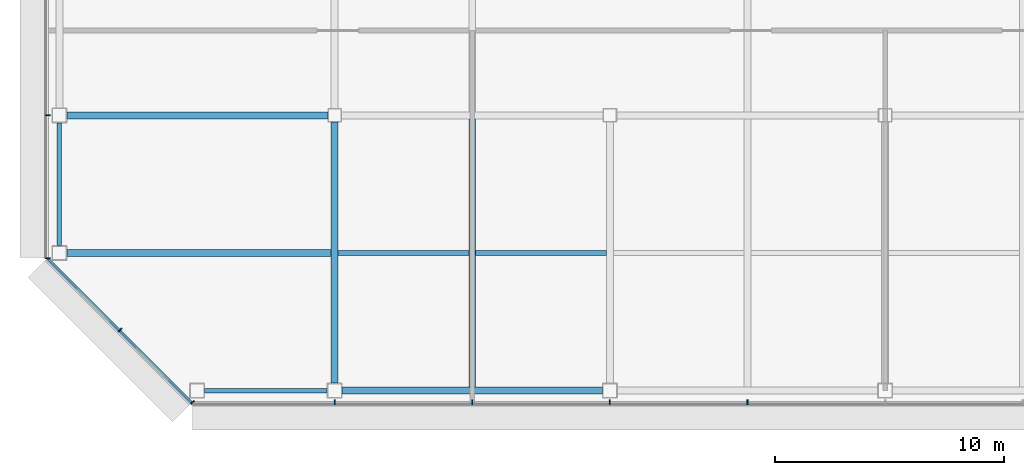
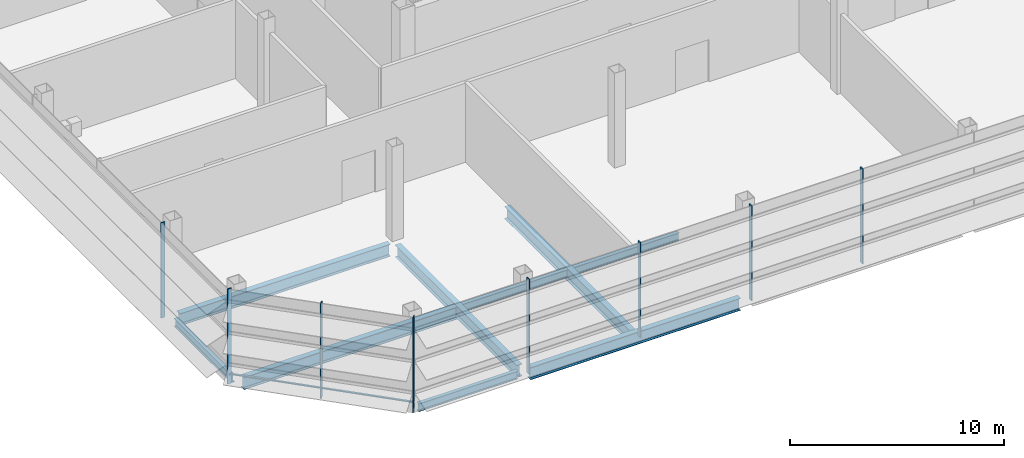
# One storey, part 2 of 25: 9 beams, 9 members, 3 elements without a shape of their own.
"""IFC4 building model written with IfcOpenShell, lengths in metres."""

from ifc_helpers import new_model, si_unit, direction, frame, origin, origin_2d, place, context, subcontext, project, spatial, rectangle, i_section, extrude, material, material_profile, profile_set, type_object, element, aggregate, save


model = new_model("IFC4")

# Units and contexts
model_context = context("Model", 3, precision=1e-05, world=origin(), true_north=direction((0.0, 1.0)))
body_context = subcontext(model_context, "Body", "Model", "MODEL_VIEW")
ifc_project = project(units=[si_unit("LENGTHUNIT", "METRE"), si_unit("AREAUNIT", "SQUARE_METRE"), si_unit("VOLUMEUNIT", "CUBIC_METRE"), si_unit("PLANEANGLEUNIT", "RADIAN"), si_unit("MASSUNIT", "GRAM", prefix="KILO")], contexts=[model_context])

# Site, building, storey
site_placement = place(None, origin())
site = spatial("IfcSite", under=ifc_project, at=site_placement, CompositionType="ELEMENT")
building_placement = place(site_placement, origin())
building = spatial("IfcBuilding", under=site, at=building_placement, Name="Sorahane Residences", CompositionType="ELEMENT")
storey_placement = place(building_placement, frame((0.0, 0.0, 210.0)))
storey = spatial("IfcBuildingStorey", under=building, at=storey_placement, Name="L49", CompositionType="ELEMENT", Elevation=210.0)

# Curtain wall, members
ifc_material_1 = material(Name="Dark low-e glass and black anodised aluminium", Category="aluminium")
curtain_wall_type = type_object("IfcCurtainWallType", Name="Curtain wall CW-4 Sky floor frameless wall", PredefinedType="NOTDEFINED", material=ifc_material_1)
curtain_wall_1_placement = place(storey_placement, origin())
curtain_wall_1 = element("IfcCurtainWall", 1, at=curtain_wall_1_placement, inside=storey, type_object=curtain_wall_type, Name="CW-4 curtain wall L49 S1", PredefinedType="NOTDEFINED")
ifc_material_2 = material(Name="Black anodised aluminium", Category="aluminium")
ifc_material_profile_1 = material_profile(ifc_material_2, rectangle(XDim=0.219970703125, YDim=0.050048828125, at=origin_2d()), Name="Curtain wall mullion CW-4 black anodised aluminium 50x220")
ifc_profile_set_1 = profile_set([ifc_material_profile_1], Name="Black anodised aluminium")
member_type_1 = type_object("IfcMemberType", Name="Curtain wall mullion CW-4 black anodised aluminium 50x220", PredefinedType="MULLION", material=ifc_profile_set_1)
member_1_placement = place(storey_placement, frame((0.0, -0.510009765625, -0.219970703125), z_axis=(0.0, 0.0, 1.0), x_axis=(0.0, -1.0, 0.0)))
member_1 = element("IfcMember", 2, at=member_1_placement, type_object=member_type_1, Name="CW-4 mullion L49 S1.2", PredefinedType="MULLION", context=body_context, shape_type="SweptSolid", body=[
    extrude(rectangle(XDim=0.219970703125, YDim=0.050048828125, at=origin_2d()), origin(), (0.0, 0.0, 1.0), 5.43994140625),
])
member_2_placement = place(storey_placement, frame((6.0, -0.510009765625, -0.219970703125), z_axis=(0.0, 0.0, 1.0), x_axis=(0.0, -1.0, 0.0)))
member_2 = element("IfcMember", 3, at=member_2_placement, type_object=member_type_1, Name="CW-4 mullion L49 S1.3", PredefinedType="MULLION", context=body_context, shape_type="SweptSolid", body=[
    extrude(rectangle(XDim=0.219970703125, YDim=0.050048828125, at=origin_2d()), origin(), (0.0, 0.0, 1.0), 5.43994140625),
])
member_3_placement = place(storey_placement, frame((12.0, -0.510009765625, -0.219970703125), z_axis=(0.0, 0.0, 1.0), x_axis=(0.0, -1.0, 0.0)))
member_3 = element("IfcMember", 4, at=member_3_placement, type_object=member_type_1, Name="CW-4 mullion L49 S1.4", PredefinedType="MULLION", context=body_context, shape_type="SweptSolid", body=[
    extrude(rectangle(XDim=0.219970703125, YDim=0.050048828125, at=origin_2d()), origin(), (0.0, 0.0, 1.0), 5.43994140625),
])
member_4_placement = place(storey_placement, frame((18.0, -0.510009765625, -0.219970703125), z_axis=(0.0, 0.0, 1.0), x_axis=(0.0, -1.0, 0.0)))
member_4 = element("IfcMember", 5, at=member_4_placement, type_object=member_type_1, Name="CW-4 mullion L49 S1.5", PredefinedType="MULLION", context=body_context, shape_type="SweptSolid", body=[
    extrude(rectangle(XDim=0.219970703125, YDim=0.050048828125, at=origin_2d()), origin(), (0.0, 0.0, 1.0), 5.43994140625),
])
aggregate(curtain_wall_1, [member_1, member_2, member_3, member_4])

curtain_wall_2_placement = place(storey_placement, origin())
curtain_wall_2 = element("IfcCurtainWall", 6, at=curtain_wall_2_placement, inside=storey, type_object=curtain_wall_type, Name="CW-4 curtain wall L49 W1", PredefinedType="NOTDEFINED")
member_5_placement = place(storey_placement, frame((-12.510009765625, 12.0, -0.219970703125), z_axis=(0.0, 0.0, 1.0), x_axis=(-1.0, 0.0, 0.0)))
member_5 = element("IfcMember", 7, at=member_5_placement, type_object=member_type_1, Name="CW-4 mullion L49 W1.6", PredefinedType="MULLION", context=body_context, shape_type="SweptSolid", body=[
    extrude(rectangle(XDim=0.219970703125, YDim=0.050048828125, at=origin_2d()), origin(), (0.0, 0.0, 1.0), 5.43994140625),
])
member_6_placement = place(storey_placement, frame((-12.510009765625, 5.7763671875, -0.219970703125), z_axis=(0.0, 0.0, 1.0), x_axis=(-1.0, 0.0, 0.0)))
member_6 = element("IfcMember", 8, at=member_6_placement, type_object=member_type_1, Name="CW-4 mullion L49 W1.7", PredefinedType="MULLION", context=body_context, shape_type="SweptSolid", body=[
    extrude(rectangle(XDim=0.219970703125, YDim=0.050048828125, at=origin_2d()), origin(), (0.0, 0.0, 1.0), 5.43994140625),
])
aggregate(curtain_wall_2, [member_5, member_6])

curtain_wall_3_placement = place(storey_placement, origin())
curtain_wall_3 = element("IfcCurtainWall", 9, at=curtain_wall_3_placement, inside=storey, type_object=curtain_wall_type, Name="CW-4 curtain wall L49 SW1", PredefinedType="NOTDEFINED")
member_7_placement = place(storey_placement, frame((-9.360595703125, 2.639404296875, -0.219970703125), z_axis=(0.0, 0.0, 1.0), x_axis=(-0.707106781187, -0.707106781187, 0.0)))
member_7 = element("IfcMember", 10, at=member_7_placement, type_object=member_type_1, Name="CW-4 mullion L49 SW1.2", PredefinedType="MULLION", context=body_context, shape_type="SweptSolid", body=[
    extrude(rectangle(XDim=0.219970703125, YDim=0.050048828125, at=origin_2d()), origin(), (0.0, 0.0, 1.0), 5.43994140625),
])
member_8_placement = place(storey_placement, frame((-6.20263671875, -0.518798828125, -0.219970703125), z_axis=(0.0, 0.0, 1.0), x_axis=(-0.707106781187, -0.707106781187, 0.0)))
member_8 = element("IfcMember", 11, at=member_8_placement, type_object=member_type_1, Name="CW-4 mullion L49 SW1.3", PredefinedType="MULLION", context=body_context, shape_type="SweptSolid", body=[
    extrude(rectangle(XDim=0.219970703125, YDim=0.050048828125, at=origin_2d()), origin(), (0.0, 0.0, 1.0), 5.43994140625),
])
ifc_material_3 = material(Name="Black anodised aluminium", Category="aluminium")
ifc_material_profile_2 = material_profile(ifc_material_3, rectangle(XDim=0.10009765625, YDim=0.06005859375, at=origin_2d()), Name="Curtain wall transom CW-4 black anodised aluminium 60x100")
ifc_profile_set_2 = profile_set([ifc_material_profile_2], Name="Black anodised aluminium")
member_type_2 = type_object("IfcMemberType", Name="Curtain wall transom CW-4 black anodised aluminium 60x100", PredefinedType="USERDEFINED", material=ifc_profile_set_2)
member_9_placement = place(storey_placement, frame((-12.51513671875, 5.765625, 0.35009765625), z_axis=(0.707106781187, -0.707106781187, 0.0), x_axis=(0.707106781187, 0.707106781187, 0.0)))
member_9 = element("IfcMember", 12, at=member_9_placement, type_object=member_type_2, Name="CW-4 transom L49 SW1", ObjectType="TRANSOM", PredefinedType="USERDEFINED", context=body_context, shape_type="SweptSolid", body=[
    extrude(rectangle(XDim=0.10009765625, YDim=0.06005859375, at=origin_2d()), origin(), (0.0, 0.0, 1.0), 8.88232421875),
])
aggregate(curtain_wall_3, [member_7, member_8, member_9])

# Beams
ifc_material_4 = material(Name="Steel Q355B", Category="steel")
ifc_material_profile_3 = material_profile(ifc_material_4, i_section(OverallWidth=0.199951171875, OverallDepth=0.449951171875, WebThickness=0.009033203125, FlangeThickness=0.013916015625, FilletRadius=0.02001953125, at=origin_2d()), Name="HN 450x200x9x14")
ifc_profile_set_3 = profile_set([ifc_material_profile_3], Name="Steel Q355B")
beam_type_1 = type_object("IfcBeamType", Name="Steel floor beam HN 450x200x9x14 Q355B", PredefinedType="BEAM", material=ifc_profile_set_3)
for number, where, z_axis, x_axis, name in (
    (13, (-5.675048828125, 0.0, -0.445068359375), (1.0, 0.0, 0.0), (0.0, 1.0, 0.0), "Beam L49 000"),
    (14, (-12.0, 6.324951171875, -0.445068359375), (0.0, 1.0, 0.0), (-1.0, 0.0, 0.0), "Beam L49 020"),
):
    element("IfcBeam", number, at=place(storey_placement, frame(where, z_axis=z_axis, x_axis=x_axis)), inside=storey, type_object=beam_type_1, Name=name, PredefinedType="BEAM", context=body_context, shape_type="SweptSolid", body=[
        extrude(i_section(OverallWidth=0.199951171875, OverallDepth=0.449951171875, WebThickness=0.009033203125, FlangeThickness=0.013916015625, FilletRadius=0.02001953125, at=origin_2d()), origin(), (0.0, 0.0, 1.0), 5.35009765625),
    ])
for number, where, z_axis, x_axis, name in (
    (15, (0.14990234375, 6.0, -0.445068359375), (1.0, 0.0, 0.0), (0.0, 1.0, 0.0), "Beam L49 069"),
    (16, (6.14990234375, 6.0, -0.445068359375), (1.0, 0.0, 0.0), (0.0, 1.0, 0.0), "Beam L49 070"),
):
    element("IfcBeam", number, at=place(storey_placement, frame(where, z_axis=z_axis, x_axis=x_axis)), inside=storey, type_object=beam_type_1, Name=name, PredefinedType="BEAM", context=body_context, shape_type="SweptSolid", body=[
        extrude(i_section(OverallWidth=0.199951171875, OverallDepth=0.449951171875, WebThickness=0.009033203125, FlangeThickness=0.013916015625, FilletRadius=0.02001953125, at=origin_2d()), origin(), (0.0, 0.0, 1.0), 5.7001953125),
    ])
ifc_material_5 = material(Name="Steel Q355B", Category="steel")
ifc_material_profile_4 = material_profile(ifc_material_5, i_section(OverallWidth=0.300048828125, OverallDepth=0.699951171875, WebThickness=0.012939453125, FlangeThickness=0.02392578125, FilletRadius=0.028076171875, at=origin_2d()), Name="HN 700x300x13x24")
ifc_profile_set_4 = profile_set([ifc_material_profile_4], Name="Steel Q355B")
beam_type_2 = type_object("IfcBeamType", Name="Steel floor beam HN 700x300x13x24 Q355B", PredefinedType="BEAM", material=ifc_profile_set_4)
beam_1_placement = place(storey_placement, frame((0.324951171875, 0.0, -0.570068359375), z_axis=(1.0, 0.0, 0.0), x_axis=(0.0, 1.0, 0.0)))
element("IfcBeam", 17, at=beam_1_placement, inside=storey, type_object=beam_type_2, Name="Beam L49 001", PredefinedType="BEAM", context=body_context, shape_type="SweptSolid", body=[
    extrude(i_section(OverallWidth=0.300048828125, OverallDepth=0.699951171875, WebThickness=0.012939453125, FlangeThickness=0.02392578125, FilletRadius=0.028076171875, at=origin_2d()), origin(), (0.0, 0.0, 1.0), 11.35009765625),
])
for number, where, z_axis, x_axis, name in (
    (18, (-11.675048828125, 12.0, -0.570068359375), (1.0, 0.0, 0.0), (0.0, 1.0, 0.0), "Beam L49 005"),
    (19, (0.0, 0.324951171875, -0.570068359375), (0.0, 1.0, 0.0), (-1.0, 0.0, 0.0), "Beam L49 024"),
):
    element("IfcBeam", number, at=place(storey_placement, frame(where, z_axis=z_axis, x_axis=x_axis)), inside=storey, type_object=beam_type_2, Name=name, PredefinedType="BEAM", context=body_context, shape_type="SweptSolid", body=[
        extrude(i_section(OverallWidth=0.300048828125, OverallDepth=0.699951171875, WebThickness=0.012939453125, FlangeThickness=0.02392578125, FilletRadius=0.028076171875, at=origin_2d()), origin(), (0.0, 0.0, 1.0), 11.375),
    ])
beam_2_placement = place(storey_placement, frame((6.0, 0.14990234375, -0.570068359375), z_axis=(0.0, 1.0, 0.0), x_axis=(-1.0, 0.0, 0.0)))
element("IfcBeam", 20, at=beam_2_placement, inside=storey, type_object=beam_type_2, Name="Beam L49 028", PredefinedType="BEAM", context=body_context, shape_type="SweptSolid", body=[
    extrude(i_section(OverallWidth=0.300048828125, OverallDepth=0.699951171875, WebThickness=0.012939453125, FlangeThickness=0.02392578125, FilletRadius=0.028076171875, at=origin_2d()), origin(), (0.0, 0.0, 1.0), 11.7001953125),
])
beam_3_placement = place(storey_placement, frame((-11.675048828125, 6.0, -0.570068359375), z_axis=(1.0, 0.0, 0.0), x_axis=(0.0, 1.0, 0.0)))
element("IfcBeam", 21, at=beam_3_placement, inside=storey, type_object=beam_type_2, Name="Beam L49 068", PredefinedType="BEAM", context=body_context, shape_type="SweptSolid", body=[
    extrude(i_section(OverallWidth=0.300048828125, OverallDepth=0.699951171875, WebThickness=0.012939453125, FlangeThickness=0.02392578125, FilletRadius=0.028076171875, at=origin_2d()), origin(), (0.0, 0.0, 1.0), 11.525146484375),
])

save(model, "model.ifc")
